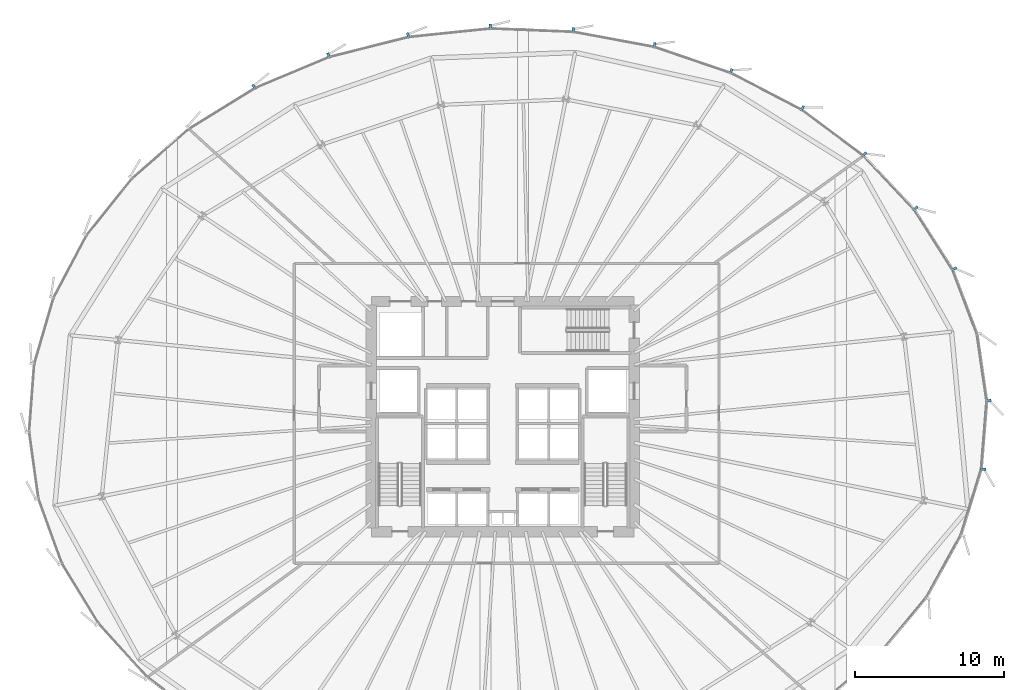
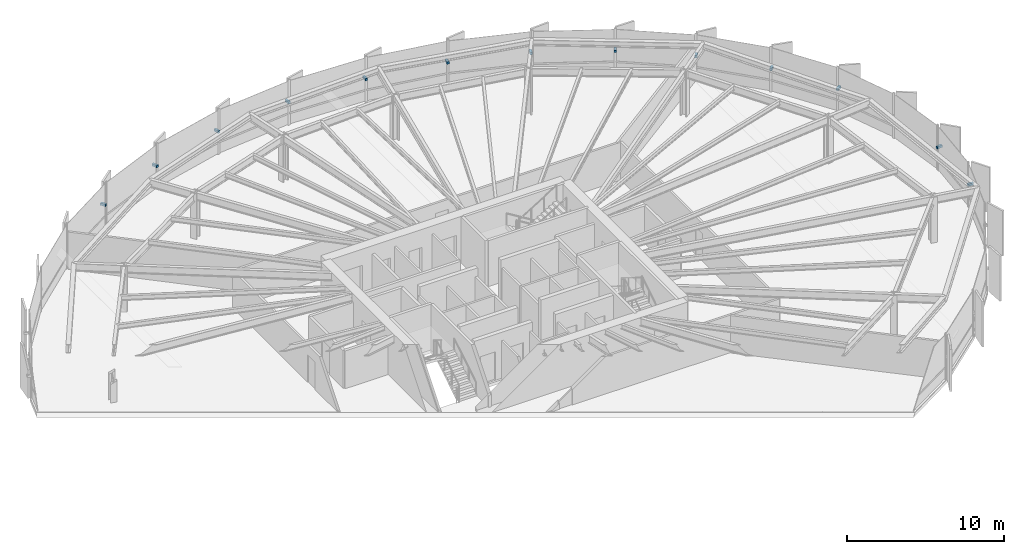
# One storey, part 36 of 42: 13 discrete accessories.
"""IFC4 building model written with IfcOpenShell, lengths in metres."""

from ifc_helpers import new_model, si_unit, direction, frame, origin, origin_2d, place, context, subcontext, project, spatial, rectangle, extrude, source, transform, mapped, material, type_object, element, save


model = new_model("IFC4")

# Units and contexts
model_context = context("Model", 3, precision=1e-05, world=origin(), true_north=direction((0.0, 1.0)))
body_context = subcontext(model_context, "Body", "Model", "MODEL_VIEW")
ifc_project = project(units=[si_unit("LENGTHUNIT", "METRE"), si_unit("AREAUNIT", "SQUARE_METRE"), si_unit("VOLUMEUNIT", "CUBIC_METRE"), si_unit("PLANEANGLEUNIT", "RADIAN"), si_unit("MASSUNIT", "GRAM", prefix="KILO"), si_unit("THERMODYNAMICTEMPERATUREUNIT", "KELVIN")], contexts=[model_context])

# Site, building, storey
site_placement = place(None, origin())
site = spatial("IfcSite", under=ifc_project, at=site_placement, CompositionType="ELEMENT")
building_placement = place(site_placement, origin())
building = spatial("IfcBuilding", under=site, at=building_placement, Name="Kethvar Cultural Tower", CompositionType="ELEMENT")
storey_placement = place(building_placement, frame((0.0, 0.0, 37.199951171875)))
storey = spatial("IfcBuildingStorey", under=building, at=storey_placement, Name="L08", CompositionType="ELEMENT", Elevation=37.199951171875)

# Discrete accessories
ifc_material = material(Name="Steel S355J2", Category="steel")
discrete_accessory_type = type_object("IfcDiscreteAccessoryType", Name="Steel Fin Bracket BRK-01", PredefinedType="BRACKET", material=ifc_material)
shared_shape = source(origin(), body_context, "Body", "SweptSolid", [
    extrude(rectangle(XDim=0.3798828125, YDim=0.159912109375, at=origin_2d()), origin(), (0.0, 0.0, 1.0), 0.179931640625),
])
for number, where, z_axis, x_axis, name in (
    (1, (79.304443359375, 28.86474609375, 1.68505859375), (0.0, 0.0, 1.0), (0.989726383718, 0.142974422091, 0.0), "L08 Terracotta Fin Bracket 1.1"),
    (2, (77.01025390625, 37.6796875, 1.68505859375), (0.0, 0.0, 1.0), (0.84264041216, 0.538476680827, 0.0), "L08 Terracotta Fin Bracket 1.3"),
    (3, (74.426513671875, 41.722412109375, 1.68505859375), (0.0, 0.0, 1.0), (0.726214813211, 0.687467850211, 0.0), "L08 Terracotta Fin Bracket 1.4"),
    (4, (70.999755859375, 45.342041015625, 1.68505859375), (0.0, 0.0, 1.0), (0.596925238263, 0.802296865209, 0.0), "L08 Terracotta Fin Bracket 1.5"),
    (5, (66.85009765625, 48.428955078125, 1.68505859375), (0.0, 0.0, 1.0), (0.461438959919, 0.887171959808, 0.0), "L08 Terracotta Fin Bracket 1.6"),
    (6, (62.077880859375, 50.903564453125, 1.68505859375), (0.0, 0.0, 1.0), (0.322926502501, 0.946424045543, 0.0), "L08 Terracotta Fin Bracket 2.1"),
    (7, (56.956298828125, 52.650390625, 1.68505859375), (0.0, 0.0, 1.0), (0.182235525492, 0.983254907564, 0.0), "L08 Terracotta Fin Bracket 2.2"),
    (8, (51.5244140625, 53.657470703125, 1.68505859375), (0.0, 0.0, 1.0), (0.040131792533, 0.999194395114, 0.0), "L08 Terracotta Fin Bracket 2.3"),
    (9, (45.9794921875, 53.87939453125, 1.68505859375), (0.0, 0.0, 1.0), (-0.102792536787, 0.994702817117, 0.0), "L08 Terracotta Fin Bracket 2.4"),
    (10, (40.468505859375, 53.309814453125, 1.68505859375), (0.0, 0.0, 1.0), (-0.245138182011, 0.969488149345, 0.0), "L08 Terracotta Fin Bracket 2.5"),
    (11, (35.149658203125, 51.96484375, 1.68505859375), (0.0, 0.0, 1.0), (-0.38622804535, 0.922403326634, 0.0), "L08 Terracotta Fin Bracket 2.6"),
    (12, (30.148681640625, 49.863525390625, 1.68505859375), (0.0, 0.0, 1.0), (-0.524877544859, 0.851177750474, 0.0), "L08 Terracotta Fin Bracket 3.1"),
    (13, (78.943359375, 24.277587890625, 1.68505859375), (0.0, 0.0, 1.0), (0.996750823024, -0.080546860903, 0.0), "L08 Terracotta Fin Bracket 6.6"),
):
    element("IfcDiscreteAccessory", number, at=place(storey_placement, frame(where, z_axis=z_axis, x_axis=x_axis)), inside=storey, type_object=discrete_accessory_type, Name=name, PredefinedType="BRACKET", context=body_context, shape_type="MappedRepresentation", body=[
        mapped(shared_shape, transform((0.0, 0.0, 0.0), scale=1.0)),
    ])

save(model, "model.ifc")
